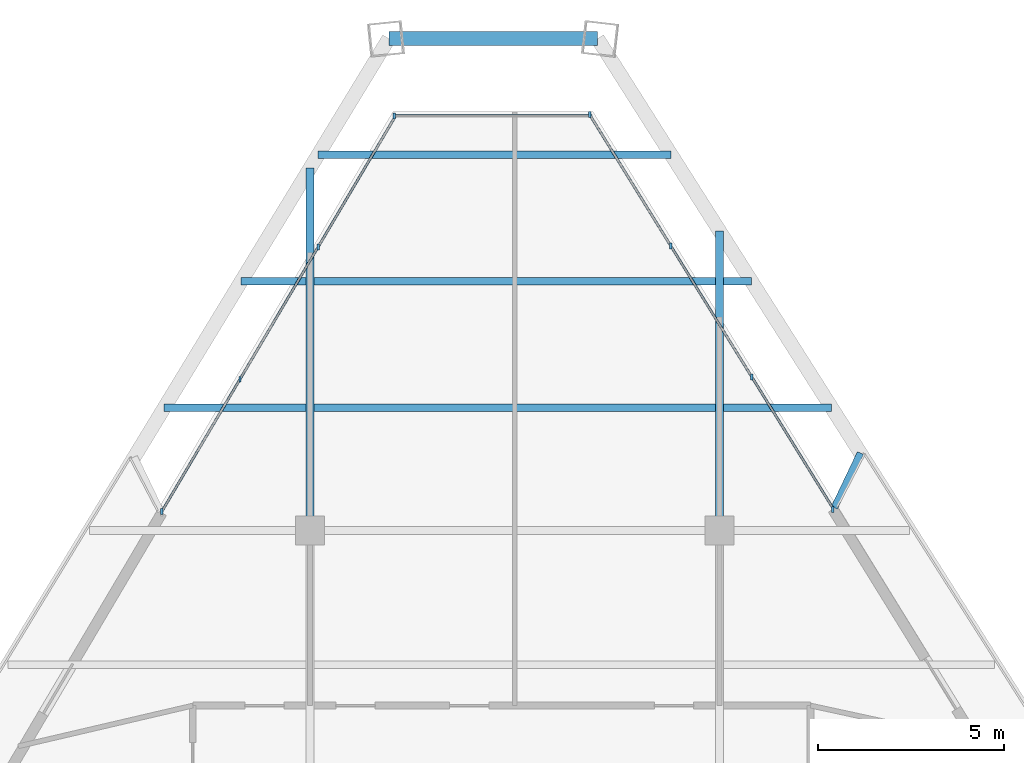
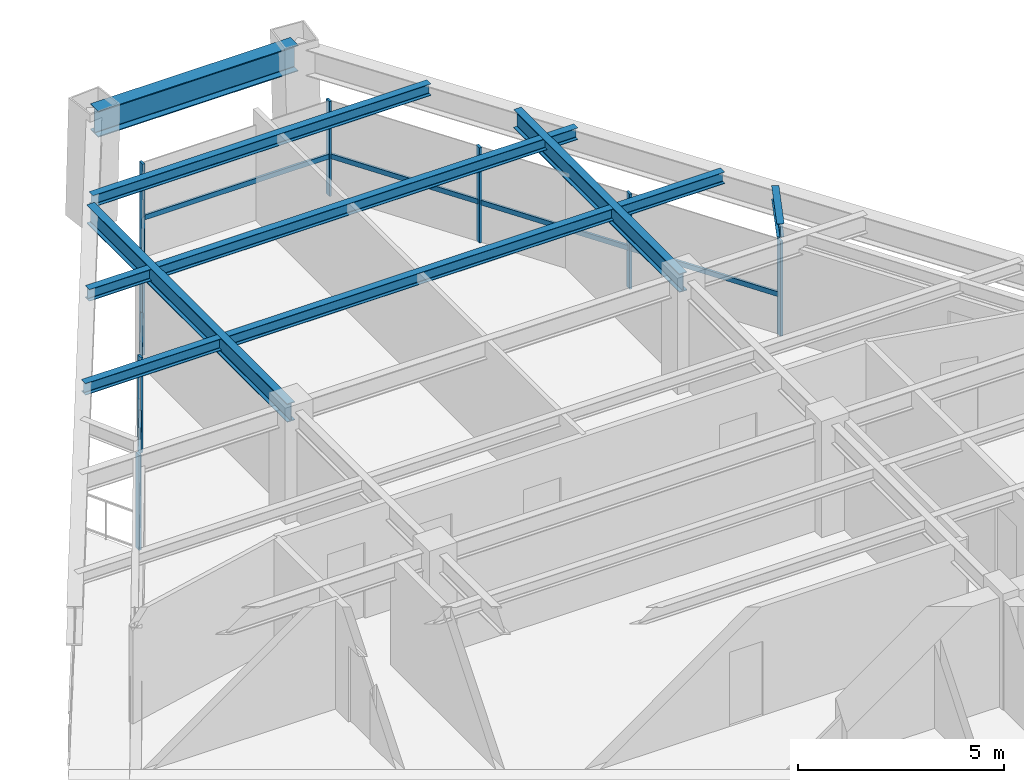
# One storey, part 7 of 13: 15 members, 10 beams, 3 elements without a shape of their own.
"""IFC4 building model written with IfcOpenShell, lengths in metres."""

from ifc_helpers import new_model, si_unit, direction, frame, origin, origin_2d, place, context, subcontext, project, spatial, rectangle, i_section, extrude, source, transform, mapped, material, material_profile, profile_set, type_object, type_shapes, element, aggregate, save


model = new_model("IFC4")

# Units and contexts
model_context = context("Model", 3, precision=1e-05, world=origin(), true_north=direction((0.0, 1.0)))
body_context = subcontext(model_context, "Body", "Model", "MODEL_VIEW")
ifc_project = project(units=[si_unit("LENGTHUNIT", "METRE"), si_unit("AREAUNIT", "SQUARE_METRE"), si_unit("VOLUMEUNIT", "CUBIC_METRE"), si_unit("PLANEANGLEUNIT", "RADIAN"), si_unit("MASSUNIT", "GRAM", prefix="KILO")], contexts=[model_context])

# Site, building, storey
site_placement = place(None, origin())
site = spatial("IfcSite", under=ifc_project, at=site_placement, CompositionType="ELEMENT")
building_placement = place(site_placement, origin())
building = spatial("IfcBuilding", under=site, at=building_placement, Name="Varnakhor Terracotta Tower", CompositionType="ELEMENT")
storey_placement = place(building_placement, frame((0.0, 0.0, 237.25)))
storey = spatial("IfcBuildingStorey", under=building, at=storey_placement, Name="L61", CompositionType="ELEMENT", Elevation=237.25)

# Beams
ifc_material_1 = material(Name="Steel S355", Category="steel")
ifc_material_profile_1 = material_profile(ifc_material_1, i_section(OverallWidth=0.202880859375, OverallDepth=0.346923828125, WebThickness=0.0078125, FlangeThickness=0.013427734375, FilletRadius=0.01806640625, at=origin_2d()), Name="W14X43")
ifc_profile_set_1 = profile_set([ifc_material_profile_1], Name="Steel S355")
beam_type_1 = type_object("IfcBeamType", Name="JST-W14X43", PredefinedType="JOIST", material=ifc_profile_set_1)
shared_shape_1 = source(origin(), body_context, "Body", "SweptSolid", [
    extrude(i_section(OverallWidth=0.202880859375, OverallDepth=0.346923828125, WebThickness=0.0078125, FlangeThickness=0.013427734375, FilletRadius=0.01806640625, at=origin_2d()), origin(), (0.0, 0.0, 1.0), 10.7939453125),
])
beam_1_placement = place(storey_placement, frame((-5.39697265625, 34.800048828125, 3.06640625), z_axis=(1.0, 0.0, 0.0), x_axis=(0.0, 1.0, 0.0)))
element("IfcBeam", 1, at=beam_1_placement, inside=storey, type_object=beam_type_1, Name="L61 Composite Floor Joist 7-2", PredefinedType="JOIST", context=body_context, shape_type="MappedRepresentation", body=[
    mapped(shared_shape_1, transform((0.0, 0.0, 0.0), scale=1.0)),
])
ifc_material_profile_2 = material_profile(ifc_material_1, i_section(OverallWidth=0.381103515625, OverallDepth=0.77294921875, WebThickness=0.01708984375, FlangeThickness=0.027099609375, FilletRadius=0.01806640625, at=origin_2d()), Name="W30X173")
ifc_profile_set_2 = profile_set([ifc_material_profile_2], Name="Steel S355")
beam_type_2 = type_object("IfcBeamType", Name="BM-W30X173", PredefinedType="BEAM", material=ifc_profile_set_2)
shared_shape_2 = source(origin(), body_context, "Body", "SweptSolid", [
    extrude(i_section(OverallWidth=0.381103515625, OverallDepth=0.77294921875, WebThickness=0.01708984375, FlangeThickness=0.027099609375, FilletRadius=0.01806640625, at=origin_2d()), origin(), (0.0, 0.0, 1.0), 5.607666015625),
])
beam_2_placement = place(storey_placement, frame((2.224365234375, 44.72021484375, 2.853515625), z_axis=(-1.0, 0.0, 0.0), x_axis=(0.0, -1.0, 0.0)))
element("IfcBeam", 2, at=beam_2_placement, inside=storey, type_object=beam_type_2, Name="L61 Perimeter Spandrel 5", PredefinedType="BEAM", context=body_context, shape_type="MappedRepresentation", body=[
    mapped(shared_shape_2, transform((0.0, 0.0, 0.0), scale=1.0)),
])
ifc_material_profile_3 = material_profile(ifc_material_1, i_section(OverallWidth=0.214111328125, OverallDepth=0.549072265625, WebThickness=0.014892578125, FlangeThickness=0.02392578125, FilletRadius=0.01806640625, at=origin_2d()), Name="W21X93")
ifc_profile_set_3 = profile_set([ifc_material_profile_3], Name="Steel S355")
beam_type_3 = type_object("IfcBeamType", Name="BM-W21X93", PredefinedType="BEAM", material=ifc_profile_set_3)
shared_shape_3 = source(origin(), body_context, "Body", "SweptSolid", [
    extrude(i_section(OverallWidth=0.214111328125, OverallDepth=0.549072265625, WebThickness=0.014892578125, FlangeThickness=0.02392578125, FilletRadius=0.01806640625, at=origin_2d()), origin(), (0.0, 0.0, 1.0), 9.740478515625),
])
beam_3_placement = place(storey_placement, frame((-5.5, 31.5, 2.965576171875), z_axis=(0.0, 1.0, 0.0), x_axis=(-1.0, 0.0, 0.0)))
element("IfcBeam", 3, at=beam_3_placement, inside=storey, type_object=beam_type_3, Name="L61 Primary Girder NS3-W", PredefinedType="BEAM", context=body_context, shape_type="MappedRepresentation", body=[
    mapped(shared_shape_3, transform((0.0, 0.0, 0.0), scale=1.0)),
])
shared_shape_4 = source(origin(), body_context, "Body", "SweptSolid", [
    extrude(i_section(OverallWidth=0.214111328125, OverallDepth=0.549072265625, WebThickness=0.014892578125, FlangeThickness=0.02392578125, FilletRadius=0.01806640625, at=origin_2d()), origin(), (0.0, 0.0, 1.0), 8.05517578125),
])
beam_4_placement = place(storey_placement, frame((5.5, 31.5, 2.965576171875), z_axis=(0.0, 1.0, 0.0), x_axis=(-1.0, 0.0, 0.0)))
element("IfcBeam", 4, at=beam_4_placement, inside=storey, type_object=beam_type_3, Name="L61 Primary Girder NS3-E", PredefinedType="BEAM", context=body_context, shape_type="MappedRepresentation", body=[
    mapped(shared_shape_4, transform((0.0, 0.0, 0.0), scale=1.0)),
])
shared_shape_5 = source(origin(), body_context, "Body", "SweptSolid", [
    extrude(i_section(OverallWidth=0.202880859375, OverallDepth=0.346923828125, WebThickness=0.0078125, FlangeThickness=0.013427734375, FilletRadius=0.01806640625, at=origin_2d()), origin(), (0.0, 0.0, 1.0), 3.814453125),
])
beam_5_placement = place(storey_placement, frame((-9.41748046875, 34.800048828125, 3.06640625), z_axis=(1.0, 0.0, 0.0), x_axis=(0.0, 1.0, 0.0)))
element("IfcBeam", 5, at=beam_5_placement, inside=storey, type_object=beam_type_1, Name="L61 Composite Floor Joist 7-1", PredefinedType="JOIST", context=body_context, shape_type="MappedRepresentation", body=[
    mapped(shared_shape_5, transform((0.0, 0.0, 0.0), scale=1.0)),
])
shared_shape_6 = source(origin(), body_context, "Body", "SweptSolid", [
    extrude(i_section(OverallWidth=0.202880859375, OverallDepth=0.346923828125, WebThickness=0.0078125, FlangeThickness=0.013427734375, FilletRadius=0.01806640625, at=origin_2d()), origin(), (0.0, 0.0, 1.0), 2.91259765625),
])
beam_6_placement = place(storey_placement, frame((5.60302734375, 34.800048828125, 3.06640625), z_axis=(1.0, 0.0, 0.0), x_axis=(0.0, 1.0, 0.0)))
element("IfcBeam", 6, at=beam_6_placement, inside=storey, type_object=beam_type_1, Name="L61 Composite Floor Joist 7-3", PredefinedType="JOIST", context=body_context, shape_type="MappedRepresentation", body=[
    mapped(shared_shape_6, transform((0.0, 0.0, 0.0), scale=1.0)),
])
shared_shape_7 = source(origin(), body_context, "Body", "SweptSolid", [
    extrude(i_section(OverallWidth=0.202880859375, OverallDepth=0.346923828125, WebThickness=0.0078125, FlangeThickness=0.013427734375, FilletRadius=0.01806640625, at=origin_2d()), origin(), (0.0, 0.0, 1.0), 1.746337890625),
])
beam_7_placement = place(storey_placement, frame((-7.349365234375, 38.199951171875, 3.06640625), z_axis=(1.0, 0.0, 0.0), x_axis=(0.0, 1.0, 0.0)))
element("IfcBeam", 7, at=beam_7_placement, inside=storey, type_object=beam_type_1, Name="L61 Composite Floor Joist 8-1", PredefinedType="JOIST", context=body_context, shape_type="MappedRepresentation", body=[
    mapped(shared_shape_7, transform((0.0, 0.0, 0.0), scale=1.0)),
])
shared_shape_8 = source(origin(), body_context, "Body", "SweptSolid", [
    extrude(i_section(OverallWidth=0.202880859375, OverallDepth=0.346923828125, WebThickness=0.0078125, FlangeThickness=0.013427734375, FilletRadius=0.01806640625, at=origin_2d()), origin(), (0.0, 0.0, 1.0), 11.756591796875),
])
beam_8_placement = place(storey_placement, frame((-5.39697265625, 38.199951171875, 3.06640625), z_axis=(1.0, 0.0, 0.0), x_axis=(0.0, 1.0, 0.0)))
element("IfcBeam", 8, at=beam_8_placement, inside=storey, type_object=beam_type_1, Name="L61 Composite Floor Joist 8-2", PredefinedType="JOIST", context=body_context, shape_type="MappedRepresentation", body=[
    mapped(shared_shape_8, transform((0.0, 0.0, 0.0), scale=1.0)),
])
shared_shape_9 = source(origin(), body_context, "Body", "SweptSolid", [
    extrude(i_section(OverallWidth=0.202880859375, OverallDepth=0.346923828125, WebThickness=0.0078125, FlangeThickness=0.013427734375, FilletRadius=0.01806640625, at=origin_2d()), origin(), (0.0, 0.0, 1.0), 9.484375),
])
beam_9_placement = place(storey_placement, frame((-5.28125, 41.60009765625, 3.06640625), z_axis=(1.0, 0.0, 0.0), x_axis=(0.0, 1.0, 0.0)))
element("IfcBeam", 9, at=beam_9_placement, inside=storey, type_object=beam_type_1, Name="L61 Composite Floor Joist 9-1", PredefinedType="JOIST", context=body_context, shape_type="MappedRepresentation", body=[
    mapped(shared_shape_9, transform((0.0, 0.0, 0.0), scale=1.0)),
])

# Curtain wall, members
ifc_material_2 = material(Name="Anodised Aluminium Curtain Wall System", Category="aluminium")
curtain_wall_type = type_object("IfcCurtainWallType", Name="CW-SYS-HOTEL-LOGGIA", PredefinedType="NOTDEFINED", material=ifc_material_2)
curtain_wall_1_placement = place(storey_placement, origin())
curtain_wall_1 = element("IfcCurtainWall", 10, at=curtain_wall_1_placement, inside=storey, type_object=curtain_wall_type, Name="L61 W Facet Curtain Wall 2", PredefinedType="NOTDEFINED")
ifc_material_3 = material(Name="Anodised Aluminium 6063-T6", Category="aluminium")
ifc_material_profile_4 = material_profile(ifc_material_3, rectangle(XDim=0.06494140625, YDim=0.159912109375, at=origin_2d()), Name="ALU MULLION 65x160")
ifc_profile_set_4 = profile_set([ifc_material_profile_4], Name="Anodised Aluminium 6063-T6")
member_type_1 = type_object("IfcMemberType", Name="CWM-04", PredefinedType="MULLION", material=ifc_profile_set_4)
shared_shape_10 = source(origin(), body_context, "Body", "SweptSolid", [
    extrude(rectangle(XDim=0.06494140625, YDim=0.159912109375, at=origin_2d()), origin(), (0.0, 0.0, 1.0), 2.820068359375),
])
type_shapes(member_type_1, [shared_shape_10])
member_1_placement = place(storey_placement, frame((-9.482666015625, 32.01220703125, 0.0), z_axis=(0.0, 0.0, 1.0), x_axis=(1.0, 0.0, 0.0)))
member_1 = element("IfcMember", 11, at=member_1_placement, type_object=member_type_1, Name="L61 W Facet Curtain Wall 2 Mullion 1", PredefinedType="MULLION", context=body_context, shape_type="MappedRepresentation", body=[
    mapped(shared_shape_10, transform((0.0, 0.0, 0.0), scale=1.0)),
])
member_2_placement = place(storey_placement, frame((-7.38232421875, 35.56689453125, 0.0), z_axis=(0.0, 0.0, 1.0), x_axis=(1.0, 0.0, 0.0)))
member_2 = element("IfcMember", 12, at=member_2_placement, type_object=member_type_1, Name="L61 W Facet Curtain Wall 2 Mullion 2", PredefinedType="MULLION", context=body_context, shape_type="MappedRepresentation", body=[
    mapped(shared_shape_10, transform((0.0, 0.0, 0.0), scale=1.0)),
])
member_3_placement = place(storey_placement, frame((-5.281982421875, 39.12158203125, 0.0), z_axis=(0.0, 0.0, 1.0), x_axis=(1.0, 0.0, 0.0)))
member_3 = element("IfcMember", 13, at=member_3_placement, type_object=member_type_1, Name="L61 W Facet Curtain Wall 2 Mullion 3", PredefinedType="MULLION", context=body_context, shape_type="MappedRepresentation", body=[
    mapped(shared_shape_10, transform((0.0, 0.0, 0.0), scale=1.0)),
])

# Curtain wall, member
curtain_wall_2_placement = place(storey_placement, origin())
curtain_wall_2 = element("IfcCurtainWall", 14, at=curtain_wall_2_placement, inside=storey, type_object=curtain_wall_type, Name="L61 Facet Curtain Wall 2", PredefinedType="NOTDEFINED")
member_4_placement = place(storey_placement, frame((-3.23974609375, 42.64306640625, 0.0), z_axis=(0.0, 0.0, 1.0), x_axis=(1.0, 0.0, 0.0)))
member_4 = element("IfcMember", 15, at=member_4_placement, type_object=member_type_1, Name="L61 Facet Curtain Wall 2 Mullion 1", PredefinedType="MULLION", context=body_context, shape_type="MappedRepresentation", body=[
    mapped(shared_shape_10, transform((0.0, 0.0, 0.0), scale=1.0)),
])

# Curtain wall, members
curtain_wall_3_placement = place(storey_placement, origin())
curtain_wall_3 = element("IfcCurtainWall", 16, at=curtain_wall_3_placement, inside=storey, type_object=curtain_wall_type, Name="L61 E Facet Curtain Wall 1", PredefinedType="NOTDEFINED")
member_5_placement = place(storey_placement, frame((2.01318359375, 42.674560546875, 0.0), z_axis=(0.0, 0.0, 1.0), x_axis=(1.0, 0.0, 0.0)))
member_5 = element("IfcMember", 17, at=member_5_placement, type_object=member_type_1, Name="L61 E Facet Curtain Wall 1 Mullion 1", PredefinedType="MULLION", context=body_context, shape_type="MappedRepresentation", body=[
    mapped(shared_shape_10, transform((0.0, 0.0, 0.0), scale=1.0)),
])
member_6_placement = place(storey_placement, frame((4.19091796875, 39.15234375, 0.0), z_axis=(0.0, 0.0, 1.0), x_axis=(1.0, 0.0, 0.0)))
member_6 = element("IfcMember", 18, at=member_6_placement, type_object=member_type_1, Name="L61 E Facet Curtain Wall 1 Mullion 2", PredefinedType="MULLION", context=body_context, shape_type="MappedRepresentation", body=[
    mapped(shared_shape_10, transform((0.0, 0.0, 0.0), scale=1.0)),
])
member_7_placement = place(storey_placement, frame((6.368408203125, 35.6298828125, 0.0), z_axis=(0.0, 0.0, 1.0), x_axis=(1.0, 0.0, 0.0)))
member_7 = element("IfcMember", 19, at=member_7_placement, type_object=member_type_1, Name="L61 E Facet Curtain Wall 1 Mullion 3", PredefinedType="MULLION", context=body_context, shape_type="MappedRepresentation", body=[
    mapped(shared_shape_10, transform((0.0, 0.0, 0.0), scale=1.0)),
])
member_8_placement = place(storey_placement, frame((8.544677734375, 32.07177734375, 0.0), z_axis=(0.0, 0.0, 1.0), x_axis=(1.0, 0.0, 0.0)))
member_8 = element("IfcMember", 20, at=member_8_placement, type_object=member_type_1, Name="L61 E Loggia Jamb Closure Mullion 1", PredefinedType="MULLION", context=body_context, shape_type="MappedRepresentation", body=[
    mapped(shared_shape_10, transform((0.0, 0.0, 0.0), scale=1.0)),
])

# Member
ifc_material_profile_5 = material_profile(ifc_material_3, rectangle(XDim=0.06494140625, YDim=0.14501953125, at=origin_2d()), Name="ALU TRANSOM 65x145")
ifc_profile_set_5 = profile_set([ifc_material_profile_5], Name="Anodised Aluminium 6063-T6")
member_type_2 = type_object("IfcMemberType", Name="CWT-04", PredefinedType="USERDEFINED", material=ifc_profile_set_5)
shared_shape_11 = source(origin(), body_context, "Body", "SweptSolid", [
    extrude(rectangle(XDim=0.06494140625, YDim=0.14501953125, at=origin_2d()), origin(), (0.0, 0.0, 1.0), 4.12890625),
])
member_9_placement = place(storey_placement, frame((-9.482666015625, 32.01220703125, 1.184326171875), z_axis=(0.508701421728, 0.860943008295, 0.0), x_axis=(-0.860943008295, 0.508701421728, 0.0)))
member_9 = element("IfcMember", 21, at=member_9_placement, type_object=member_type_2, Name="L61 W Facet Curtain Wall 2 Transom 1", ObjectType="TRANSOM", PredefinedType="USERDEFINED", context=body_context, shape_type="MappedRepresentation", body=[
    mapped(shared_shape_11, transform((0.0, 0.0, 0.0), scale=1.0)),
])

member_10_placement = place(storey_placement, frame((-7.38232421875, 35.56689453125, 1.184326171875), z_axis=(0.508701421728, 0.860943008295, 0.0), x_axis=(-0.860943008295, 0.508701421728, 0.0)))
member_10 = element("IfcMember", 22, at=member_10_placement, type_object=member_type_2, Name="L61 W Facet Curtain Wall 2 Transom 2", ObjectType="TRANSOM", PredefinedType="USERDEFINED", context=body_context, shape_type="MappedRepresentation", body=[
    mapped(shared_shape_11, transform((0.0, 0.0, 0.0), scale=1.0)),
])

member_11_placement = place(storey_placement, frame((-5.281982421875, 39.12158203125, 1.184326171875), z_axis=(0.508701421728, 0.860943008295, 0.0), x_axis=(-0.860943008295, 0.508701421728, 0.0)))
member_11 = element("IfcMember", 23, at=member_11_placement, type_object=member_type_2, Name="L61 W Facet Curtain Wall 2 Transom 3", ObjectType="TRANSOM", PredefinedType="USERDEFINED", context=body_context, shape_type="MappedRepresentation", body=[
    mapped(shared_shape_11, transform((0.0, 0.0, 0.0), scale=1.0)),
])

aggregate(curtain_wall_1, [member_1, member_9, member_2, member_10, member_3, member_11])

shared_shape_12 = source(origin(), body_context, "Body", "SweptSolid", [
    extrude(rectangle(XDim=0.06494140625, YDim=0.14501953125, at=origin_2d()), origin(), (0.0, 0.0, 1.0), 5.309326171875),
])
member_12_placement = place(storey_placement, frame((-3.23974609375, 42.64306640625, 1.184326171875), z_axis=(1.0, 0.0, 0.0), x_axis=(0.0, 1.0, 0.0)))
member_12 = element("IfcMember", 24, at=member_12_placement, type_object=member_type_2, Name="L61 Facet Curtain Wall 2 Transom 1", ObjectType="TRANSOM", PredefinedType="USERDEFINED", context=body_context, shape_type="MappedRepresentation", body=[
    mapped(shared_shape_12, transform((0.0, 0.0, 0.0), scale=1.0)),
])

aggregate(curtain_wall_2, [member_4, member_12])

shared_shape_13 = source(origin(), body_context, "Body", "SweptSolid", [
    extrude(rectangle(XDim=0.06494140625, YDim=0.14501953125, at=origin_2d()), origin(), (0.0, 0.0, 1.0), 4.14111328125),
])
member_13_placement = place(storey_placement, frame((2.01318359375, 42.674560546875, 1.184326171875), z_axis=(0.525885691054, -0.850555253905, 0.0), x_axis=(0.850555253905, 0.525885691054, 0.0)))
member_13 = element("IfcMember", 25, at=member_13_placement, type_object=member_type_2, Name="L61 E Facet Curtain Wall 1 Transom 1", ObjectType="TRANSOM", PredefinedType="USERDEFINED", context=body_context, shape_type="MappedRepresentation", body=[
    mapped(shared_shape_13, transform((0.0, 0.0, 0.0), scale=1.0)),
])

member_14_placement = place(storey_placement, frame((4.19091796875, 39.15234375, 1.184326171875), z_axis=(0.525816668791, -0.850597925475, 0.0), x_axis=(0.850597925475, 0.525816668791, 0.0)))
member_14 = element("IfcMember", 26, at=member_14_placement, type_object=member_type_2, Name="L61 E Facet Curtain Wall 1 Transom 2", ObjectType="TRANSOM", PredefinedType="USERDEFINED", context=body_context, shape_type="MappedRepresentation", body=[
    mapped(shared_shape_13, transform((0.0, 0.0, 0.0), scale=1.0)),
])

shared_shape_14 = source(origin(), body_context, "Body", "SweptSolid", [
    extrude(rectangle(XDim=0.06494140625, YDim=0.14501953125, at=origin_2d()), origin(), (0.0, 0.0, 1.0), 4.140625),
])
member_15_placement = place(storey_placement, frame((6.368408203125, 35.6298828125, 1.184326171875), z_axis=(0.525869409028, -0.850565320624, 0.0), x_axis=(0.850565320624, 0.525869409028, 0.0)))
member_15 = element("IfcMember", 27, at=member_15_placement, type_object=member_type_2, Name="L61 E Facet Curtain Wall 1 Transom 3", ObjectType="TRANSOM", PredefinedType="USERDEFINED", context=body_context, shape_type="MappedRepresentation", body=[
    mapped(shared_shape_14, transform((0.0, 0.0, 0.0), scale=1.0)),
])

aggregate(curtain_wall_3, [member_5, member_13, member_6, member_14, member_7, member_15, member_8])

# Beam
ifc_material_profile_6 = material_profile(ifc_material_1, i_section(OverallWidth=0.179931640625, OverallDepth=0.39990234375, WebThickness=0.008544921875, FlangeThickness=0.013427734375, FilletRadius=0.01806640625, at=origin_2d()), Name="IPE400")
ifc_profile_set_6 = profile_set([ifc_material_profile_6], Name="Steel S355")
beam_type_4 = type_object("IfcBeamType", Name="JST-IPE400", PredefinedType="JOIST", material=ifc_profile_set_6)
shared_shape_15 = source(origin(), body_context, "Body", "SweptSolid", [
    extrude(i_section(OverallWidth=0.179931640625, OverallDepth=0.39990234375, WebThickness=0.008544921875, FlangeThickness=0.013427734375, FilletRadius=0.01806640625, at=origin_2d()), origin(), (0.0, 0.0, 1.0), 1.625),
])
beam_10_placement = place(storey_placement, frame((8.587158203125, 32.117919921875, 3.0400390625), z_axis=(0.430306799997, 0.902682700552, 0.0), x_axis=(-0.902682700552, 0.430306799997, 0.0)))
element("IfcBeam", 28, at=beam_10_placement, inside=storey, type_object=beam_type_4, Name="L62 E Loggia Tie Beam 1", PredefinedType="JOIST", context=body_context, shape_type="MappedRepresentation", body=[
    mapped(shared_shape_15, transform((0.0, 0.0, 0.0), scale=1.0)),
])

save(model, "model.ifc")
